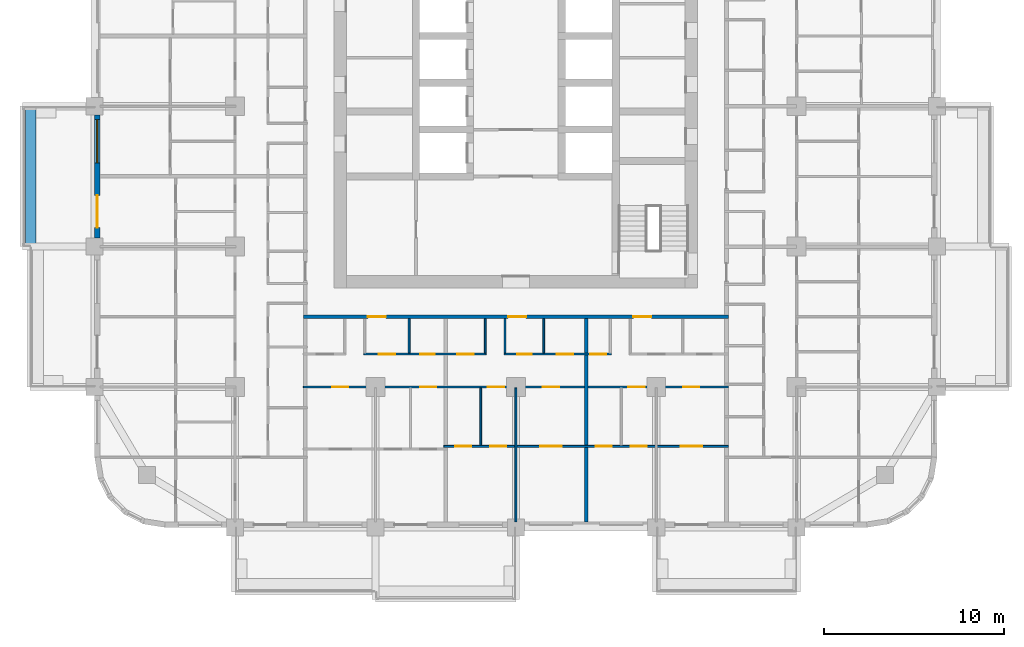
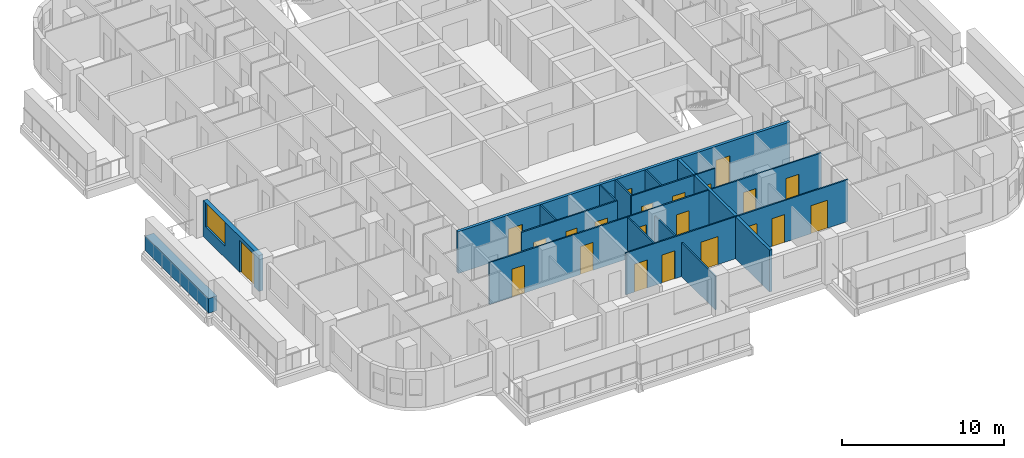
# One storey, part 4 of 18: 22 doors, 14 walls, 1 window, 23 openings.
"""IFC4 building model written with IfcOpenShell, lengths in metres."""

from ifc_helpers import new_model, si_unit, direction, frame, frame_2d, origin, place, context, subcontext, project, spatial, rectangle, extrude, material, layer, layer_set, type_object, element, fill, save


model = new_model("IFC4")

# Units and contexts
model_context = context("Model", 3, precision=1e-05, world=origin(), true_north=direction((0.0, 1.0)))
body_context = subcontext(model_context, "Body", "Model", "MODEL_VIEW")
ifc_project = project(units=[si_unit("LENGTHUNIT", "METRE"), si_unit("AREAUNIT", "SQUARE_METRE"), si_unit("VOLUMEUNIT", "CUBIC_METRE"), si_unit("PLANEANGLEUNIT", "RADIAN"), si_unit("MASSUNIT", "GRAM", prefix="KILO")], contexts=[model_context])

# Site, building, storey
site_placement = place(None, origin())
site = spatial("IfcSite", under=ifc_project, at=site_placement, CompositionType="ELEMENT")
building_placement = place(site_placement, origin())
building = spatial("IfcBuilding", under=site, at=building_placement, Name="Ludao Terraces", CompositionType="ELEMENT")
storey_placement = place(building_placement, frame((0.0, 0.0, 61.39990234375)))
storey = spatial("IfcBuildingStorey", under=building, at=storey_placement, Name="L16", CompositionType="ELEMENT", Elevation=61.39990234375)

# Wall
ifc_material_1 = material(Name="Concrete C40", Category="concrete")
ifc_layer_1 = layer(ifc_material_1, 0.60009765625)
ifc_layer_set_1 = layer_set([ifc_layer_1], Name="ENV Planter trough 600")
wall_type_1 = type_object("IfcWallType", Name="ENV Planter trough 600", PredefinedType="USERDEFINED", material=ifc_layer_set_1)
wall_1_placement = place(storey_placement, frame((58.050048828125, 57.199951171875, 0.0), z_axis=(0.0, 0.0, 1.0), x_axis=(0.0, 1.0, 0.0)))
element("IfcWall", 1, at=wall_1_placement, inside=storey, type_object=wall_type_1, Name="PL-L16-W2", ObjectType="PLANTER", PredefinedType="USERDEFINED", context=body_context, shape_type="SweptSolid", body=[
    extrude(rectangle(XDim=7.800048828125, YDim=0.60009765625, at=frame_2d((3.89990234375, 0.0))), origin(), (0.0, 0.0, 1.0), 1.10009765625),
])

# Wall, openings, door, window
ifc_material_2 = material(Name="Granite cladding", Category="masonry")
ifc_layer_2 = layer(ifc_material_2, 0.0400390625, Category="stone")
ifc_material_3 = material(Name="Mineral wool")
ifc_layer_3 = layer(ifc_material_3, 0.06005859375)
ifc_layer_4 = layer(ifc_material_1, 0.199951171875, Category="concrete")
ifc_layer_set_2 = layer_set([ifc_layer_2, ifc_layer_3, ifc_layer_4], Name="ENV Stone-clad wall 300")
wall_type_2 = type_object("IfcWallType", Name="ENV Stone-clad wall 300", PredefinedType="SOLIDWALL", material=ifc_layer_set_2)
wall_2_placement = place(storey_placement, frame((61.75, 57.675048828125, 0.0), z_axis=(0.0, 0.0, 1.0), x_axis=(0.0, 1.0, 0.0)))
wall_2 = element("IfcWall", 2, at=wall_2_placement, inside=storey, type_object=wall_type_2, Name="EW-L16-W3", PredefinedType="SOLIDWALL", context=body_context, shape_type="SweptSolid", body=[
    extrude(rectangle(XDim=6.849853515625, YDim=0.300048828125, at=frame_2d((3.4248046875, 0.0))), origin(), (0.0, 0.0, 1.0), 2.7001953125),
])
opening_1_placement = place(wall_2_placement, frame((0.574951171875, 0.0, 0.0)))
opening_1 = element("IfcOpeningElement", 3, at=opening_1_placement, cuts=wall_2, Name="Opening BD", PredefinedType="OPENING", context=body_context, shape_type="SweptSolid", body=[
    extrude(rectangle(XDim=1.800048828125, YDim=2.39990234375, at=frame_2d((0.89990234375, 1.199951171875))), frame((0.0, 0.16015625, 0.0), z_axis=(0.0, -1.0, 0.0), x_axis=(1.0, 0.0, 0.0)), (0.0, 0.0, 1.0), 0.320068359375),
])
opening_2_placement = place(wall_2_placement, frame((4.175048828125, 0.0, 0.89990234375)))
opening_2 = element("IfcOpeningElement", 4, at=opening_2_placement, cuts=wall_2, Name="Opening W1", PredefinedType="OPENING", context=body_context, shape_type="SweptSolid", body=[
    extrude(rectangle(XDim=2.39990234375, YDim=1.800048828125, at=frame_2d((1.199951171875, 0.89990234375))), frame((0.0, 0.16015625, 0.0), z_axis=(0.0, -1.0, 0.0), x_axis=(1.0, 0.0, 0.0)), (0.0, 0.0, 1.0), 0.320068359375),
])
ifc_material_4 = material(Name="Aluminium glazed door", Category="aluminium")
ifc_layer_5 = layer(ifc_material_4, 0.06005859375)
ifc_layer_set_3 = layer_set([ifc_layer_5], Name="ENV Balcony door BD 1800x2400")
door_type_1 = type_object("IfcDoorType", Name="ENV Balcony door BD 1800x2400", OperationType="DOUBLE_DOOR_SINGLE_SWING", PredefinedType="DOOR", material=ifc_layer_set_3)
door_1_placement = place(opening_1_placement, origin())
door_1 = element("IfcDoor", 5, at=door_1_placement, inside=storey, type_object=door_type_1, Name="BD-L16-W3-1", OperationType="DOUBLE_DOOR_SINGLE_SWING", OverallHeight=2.39990234375, OverallWidth=1.800048828125, PredefinedType="DOOR", context=body_context, shape_type="SweptSolid", body=[
    extrude(rectangle(XDim=1.800048828125, YDim=2.39990234375, at=frame_2d((0.89990234375, 1.199951171875))), frame((0.0, 0.02490234375, 0.0), z_axis=(0.0, -1.0, 0.0), x_axis=(1.0, 0.0, 0.0)), (0.0, 0.0, 1.0), 0.050048828125),
])
fill(opening_1, door_1)
ifc_material_5 = material(Name="Clear glass in aluminium frame", Category="aluminium")
ifc_layer_6 = layer(ifc_material_5, 0.06005859375)
ifc_layer_set_4 = layer_set([ifc_layer_6], Name="ENV Window W1 2400x1800")
window_type = type_object("IfcWindowType", Name="ENV Window W1 2400x1800", PartitioningType="DOUBLE_PANEL_VERTICAL", PredefinedType="WINDOW", material=ifc_layer_set_4)
window_placement = place(opening_2_placement, origin())
window = element("IfcWindow", 6, at=window_placement, inside=storey, type_object=window_type, Name="W-L16-W3-2", OverallHeight=1.800048828125, OverallWidth=2.39990234375, PartitioningType="DOUBLE_PANEL_VERTICAL", PredefinedType="WINDOW", context=body_context, shape_type="SweptSolid", body=[
    extrude(rectangle(XDim=2.39990234375, YDim=1.800048828125, at=frame_2d((1.199951171875, 0.89990234375))), frame((0.0, 0.030029296875, 0.0), z_axis=(0.0, -1.0, 0.0), x_axis=(1.0, 0.0, 0.0)), (0.0, 0.0, 1.0), 0.06005859375),
])
fill(opening_2, window)

# Wall, openings, doors
ifc_material_6 = material(Name="Autoclaved aerated concrete block B06 A3.5", Category="concrete")
ifc_layer_7 = layer(ifc_material_6, 0.199951171875)
ifc_layer_set_5 = layer_set([ifc_layer_7], Name="INT Entrance wall 200")
wall_type_3 = type_object("IfcWallType", Name="INT Entrance wall 200", PredefinedType="PARTITIONING", material=ifc_layer_set_5)
wall_3_placement = place(storey_placement, frame((73.2001953125, 53.300048828125, 0.0), z_axis=(0.0, 0.0, 1.0), x_axis=(1.0, 0.0, 0.0)))
wall_3 = element("IfcWall", 7, at=wall_3_placement, inside=storey, type_object=wall_type_3, Name="PW-L16-PW019", PredefinedType="PARTITIONING", context=body_context, shape_type="SweptSolid", body=[
    extrude(rectangle(XDim=23.599853515625, YDim=0.199951171875, at=frame_2d((11.7998046875, 0.0))), origin(), (0.0, 0.0, 1.0), 3.150146484375),
])
opening_3_placement = place(wall_3_placement, frame((3.574951171875, 0.0, 0.0)))
opening_3 = element("IfcOpeningElement", 8, at=opening_3_placement, cuts=wall_3, Name="Opening R05-048", PredefinedType="OPENING", context=body_context, shape_type="SweptSolid", body=[
    extrude(rectangle(XDim=1.0, YDim=2.10009765625, at=frame_2d((0.5, 1.050048828125))), frame((0.0, 0.10986328125, 0.0), z_axis=(0.0, -1.0, 0.0), x_axis=(1.0, 0.0, 0.0)), (0.0, 0.0, 1.0), 0.219970703125),
])
opening_4_placement = place(wall_3_placement, frame((11.375, 0.0, 0.0)))
opening_4 = element("IfcOpeningElement", 9, at=opening_4_placement, cuts=wall_3, Name="Opening R05-049", PredefinedType="OPENING", context=body_context, shape_type="SweptSolid", body=[
    extrude(rectangle(XDim=1.0, YDim=2.10009765625, at=frame_2d((0.5, 1.050048828125))), frame((0.0, 0.10986328125, 0.0), z_axis=(0.0, -1.0, 0.0), x_axis=(1.0, 0.0, 0.0)), (0.0, 0.0, 1.0), 0.219970703125),
])
opening_5_placement = place(wall_3_placement, frame((18.324951171875, 0.0, 0.0)))
opening_5 = element("IfcOpeningElement", 10, at=opening_5_placement, cuts=wall_3, Name="Opening R05-050", PredefinedType="OPENING", context=body_context, shape_type="SweptSolid", body=[
    extrude(rectangle(XDim=1.0, YDim=2.10009765625, at=frame_2d((0.5, 1.050048828125))), frame((0.0, 0.10986328125, 0.0), z_axis=(0.0, -1.0, 0.0), x_axis=(1.0, 0.0, 0.0)), (0.0, 0.0, 1.0), 0.219970703125),
])
ifc_material_7 = material(Name="Steel Q235", Category="steel")
door_type_2 = type_object("IfcDoorType", Name="INT Flat entrance door 1000", OperationType="SINGLE_SWING_LEFT", PredefinedType="DOOR", material=ifc_material_7)
door_2_placement = place(opening_3_placement, origin())
door_2 = element("IfcDoor", 11, at=door_2_placement, inside=storey, type_object=door_type_2, Name="DOOR 048", OperationType="SINGLE_SWING_LEFT", OverallHeight=2.10009765625, OverallWidth=1.0, PredefinedType="DOOR", context=body_context, shape_type="SweptSolid", body=[
    extrude(rectangle(XDim=1.0, YDim=2.10009765625, at=frame_2d((0.5, 1.050048828125))), frame((0.0, 0.02490234375, 0.0), z_axis=(0.0, -1.0, 0.0), x_axis=(1.0, 0.0, 0.0)), (0.0, 0.0, 1.0), 0.050048828125),
])
fill(opening_3, door_2)
door_3_placement = place(opening_4_placement, origin())
door_3 = element("IfcDoor", 12, at=door_3_placement, inside=storey, type_object=door_type_2, Name="DOOR 049", OperationType="SINGLE_SWING_LEFT", OverallHeight=2.10009765625, OverallWidth=1.0, PredefinedType="DOOR", context=body_context, shape_type="SweptSolid", body=[
    extrude(rectangle(XDim=1.0, YDim=2.10009765625, at=frame_2d((0.5, 1.050048828125))), frame((0.0, 0.02490234375, 0.0), z_axis=(0.0, -1.0, 0.0), x_axis=(1.0, 0.0, 0.0)), (0.0, 0.0, 1.0), 0.050048828125),
])
fill(opening_4, door_3)
door_4_placement = place(opening_5_placement, origin())
door_4 = element("IfcDoor", 13, at=door_4_placement, inside=storey, type_object=door_type_2, Name="DOOR 050", OperationType="SINGLE_SWING_LEFT", OverallHeight=2.10009765625, OverallWidth=1.0, PredefinedType="DOOR", context=body_context, shape_type="SweptSolid", body=[
    extrude(rectangle(XDim=1.0, YDim=2.10009765625, at=frame_2d((0.5, 1.050048828125))), frame((0.0, 0.02490234375, 0.0), z_axis=(0.0, -1.0, 0.0), x_axis=(1.0, 0.0, 0.0)), (0.0, 0.0, 1.0), 0.050048828125),
])
fill(opening_5, door_4)

ifc_material_8 = material(Name="Gypsum plasterboard", Category="gypsum")
ifc_layer_8 = layer(ifc_material_8, 0.012451171875, Category="gypsum")
ifc_layer_9 = layer(ifc_material_3, 0.06005859375, Name="insulation")
ifc_layer_10 = layer(ifc_material_7, 0.014892578125, Name="stud")
ifc_layer_11 = layer(ifc_material_8, 0.012451171875, Category="gypsum")
ifc_layer_set_6 = layer_set([ifc_layer_8, ifc_layer_9, ifc_layer_10, ifc_layer_11], Name="INT Partition 100")
wall_type_4 = type_object("IfcWallType", Name="INT Partition 100", PredefinedType="PARTITIONING", material=ifc_layer_set_6)
wall_4_placement = place(storey_placement, frame((81.0, 46.10009765625, 0.0), z_axis=(0.0, 0.0, 1.0), x_axis=(1.0, 0.0, 0.0)))
wall_4 = element("IfcWall", 14, at=wall_4_placement, inside=storey, type_object=wall_type_4, Name="PW-L16-PW003", PredefinedType="PARTITIONING", context=body_context, shape_type="SweptSolid", body=[
    extrude(rectangle(XDim=15.800048828125, YDim=0.10009765625, at=frame_2d((7.89990234375, 0.0))), origin(), (0.0, 0.0, 1.0), 3.150146484375),
])
opening_6_placement = place(wall_4_placement, frame((0.625, 0.0, 0.0)))
opening_6 = element("IfcOpeningElement", 15, at=opening_6_placement, cuts=wall_4, Name="Opening R05-010", PredefinedType="OPENING", context=body_context, shape_type="SweptSolid", body=[
    extrude(rectangle(XDim=0.89990234375, YDim=2.10009765625, at=frame_2d((0.449951171875, 1.050048828125))), frame((0.0, 0.06005859375, 0.0), z_axis=(0.0, -1.0, 0.0), x_axis=(1.0, 0.0, 0.0)), (0.0, 0.0, 1.0), 0.1201171875),
])
opening_7_placement = place(wall_4_placement, frame((2.5751953125, 0.0, 0.0)))
opening_7 = element("IfcOpeningElement", 16, at=opening_7_placement, cuts=wall_4, Name="Opening R05-011", PredefinedType="OPENING", context=body_context, shape_type="SweptSolid", body=[
    extrude(rectangle(XDim=0.89990234375, YDim=2.10009765625, at=frame_2d((0.449951171875, 1.050048828125))), frame((0.0, 0.06005859375, 0.0), z_axis=(0.0, -1.0, 0.0), x_axis=(1.0, 0.0, 0.0)), (0.0, 0.0, 1.0), 0.1201171875),
])
opening_8_placement = place(wall_4_placement, frame((5.35009765625, 0.0, 0.0)))
opening_8 = element("IfcOpeningElement", 17, at=opening_8_placement, cuts=wall_4, Name="Opening R05-012", PredefinedType="OPENING", context=body_context, shape_type="SweptSolid", body=[
    extrude(rectangle(XDim=1.199951171875, YDim=2.10009765625, at=frame_2d((0.60009765625, 1.050048828125))), frame((0.0, 0.06005859375, 0.0), z_axis=(0.0, -1.0, 0.0), x_axis=(1.0, 0.0, 0.0)), (0.0, 0.0, 1.0), 0.1201171875),
])
opening_9_placement = place(wall_4_placement, frame((8.425048828125, 0.0, 0.0)))
opening_9 = element("IfcOpeningElement", 18, at=opening_9_placement, cuts=wall_4, Name="Opening R05-013", PredefinedType="OPENING", context=body_context, shape_type="SweptSolid", body=[
    extrude(rectangle(XDim=0.89990234375, YDim=2.10009765625, at=frame_2d((0.449951171875, 1.050048828125))), frame((0.0, 0.06005859375, 0.0), z_axis=(0.0, -1.0, 0.0), x_axis=(1.0, 0.0, 0.0)), (0.0, 0.0, 1.0), 0.1201171875),
])
opening_10_placement = place(wall_4_placement, frame((10.375, 0.0, 0.0)))
opening_10 = element("IfcOpeningElement", 19, at=opening_10_placement, cuts=wall_4, Name="Opening R05-014", PredefinedType="OPENING", context=body_context, shape_type="SweptSolid", body=[
    extrude(rectangle(XDim=0.89990234375, YDim=2.10009765625, at=frame_2d((0.449951171875, 1.050048828125))), frame((0.0, 0.06005859375, 0.0), z_axis=(0.0, -1.0, 0.0), x_axis=(1.0, 0.0, 0.0)), (0.0, 0.0, 1.0), 0.1201171875),
])
opening_11_placement = place(wall_4_placement, frame((13.150146484375, 0.0, 0.0)))
opening_11 = element("IfcOpeningElement", 20, at=opening_11_placement, cuts=wall_4, Name="Opening R05-015", PredefinedType="OPENING", context=body_context, shape_type="SweptSolid", body=[
    extrude(rectangle(XDim=1.199951171875, YDim=2.10009765625, at=frame_2d((0.60009765625, 1.050048828125))), frame((0.0, 0.06005859375, 0.0), z_axis=(0.0, -1.0, 0.0), x_axis=(1.0, 0.0, 0.0)), (0.0, 0.0, 1.0), 0.1201171875),
])
ifc_material_9 = material(Name="Timber door leaf", Category="wood")
door_type_3 = type_object("IfcDoorType", Name="INT Bathroom door 900", OperationType="SINGLE_SWING_LEFT", PredefinedType="DOOR", material=ifc_material_9)
door_5_placement = place(opening_6_placement, origin())
door_5 = element("IfcDoor", 21, at=door_5_placement, inside=storey, type_object=door_type_3, Name="DOOR 010", OperationType="SINGLE_SWING_LEFT", OverallHeight=2.10009765625, OverallWidth=0.89990234375, PredefinedType="DOOR", context=body_context, shape_type="SweptSolid", body=[
    extrude(rectangle(XDim=0.89990234375, YDim=2.10009765625, at=frame_2d((0.449951171875, 1.050048828125))), frame((0.0, 0.02490234375, 0.0), z_axis=(0.0, -1.0, 0.0), x_axis=(1.0, 0.0, 0.0)), (0.0, 0.0, 1.0), 0.050048828125),
])
fill(opening_6, door_5)
door_6_placement = place(opening_9_placement, origin())
door_6 = element("IfcDoor", 22, at=door_6_placement, inside=storey, type_object=door_type_3, Name="DOOR 013", OperationType="SINGLE_SWING_LEFT", OverallHeight=2.10009765625, OverallWidth=0.89990234375, PredefinedType="DOOR", context=body_context, shape_type="SweptSolid", body=[
    extrude(rectangle(XDim=0.89990234375, YDim=2.10009765625, at=frame_2d((0.449951171875, 1.050048828125))), frame((0.0, 0.02490234375, 0.0), z_axis=(0.0, -1.0, 0.0), x_axis=(1.0, 0.0, 0.0)), (0.0, 0.0, 1.0), 0.050048828125),
])
fill(opening_9, door_6)
door_type_4 = type_object("IfcDoorType", Name="INT Double door 1200", OperationType="DOUBLE_DOOR_SINGLE_SWING", PredefinedType="DOOR", material=ifc_material_9)
door_7_placement = place(opening_8_placement, origin())
door_7 = element("IfcDoor", 23, at=door_7_placement, inside=storey, type_object=door_type_4, Name="DOOR 012", OperationType="DOUBLE_DOOR_SINGLE_SWING", OverallHeight=2.10009765625, OverallWidth=1.199951171875, PredefinedType="DOOR", context=body_context, shape_type="SweptSolid", body=[
    extrude(rectangle(XDim=1.199951171875, YDim=2.10009765625, at=frame_2d((0.60009765625, 1.050048828125))), frame((0.0, 0.02490234375, 0.0), z_axis=(0.0, -1.0, 0.0), x_axis=(1.0, 0.0, 0.0)), (0.0, 0.0, 1.0), 0.050048828125),
])
fill(opening_8, door_7)
door_8_placement = place(opening_11_placement, origin())
door_8 = element("IfcDoor", 24, at=door_8_placement, inside=storey, type_object=door_type_4, Name="DOOR 015", OperationType="DOUBLE_DOOR_SINGLE_SWING", OverallHeight=2.10009765625, OverallWidth=1.199951171875, PredefinedType="DOOR", context=body_context, shape_type="SweptSolid", body=[
    extrude(rectangle(XDim=1.199951171875, YDim=2.10009765625, at=frame_2d((0.60009765625, 1.050048828125))), frame((0.0, 0.02490234375, 0.0), z_axis=(0.0, -1.0, 0.0), x_axis=(1.0, 0.0, 0.0)), (0.0, 0.0, 1.0), 0.050048828125),
])
fill(opening_11, door_8)
door_type_5 = type_object("IfcDoorType", Name="INT Room door 900", OperationType="SINGLE_SWING_LEFT", PredefinedType="DOOR", material=ifc_material_9)
door_9_placement = place(opening_7_placement, origin())
door_9 = element("IfcDoor", 25, at=door_9_placement, inside=storey, type_object=door_type_5, Name="DOOR 011", OperationType="SINGLE_SWING_LEFT", OverallHeight=2.10009765625, OverallWidth=0.89990234375, PredefinedType="DOOR", context=body_context, shape_type="SweptSolid", body=[
    extrude(rectangle(XDim=0.89990234375, YDim=2.10009765625, at=frame_2d((0.449951171875, 1.050048828125))), frame((0.0, 0.02490234375, 0.0), z_axis=(0.0, -1.0, 0.0), x_axis=(1.0, 0.0, 0.0)), (0.0, 0.0, 1.0), 0.050048828125),
])
fill(opening_7, door_9)
door_10_placement = place(opening_10_placement, origin())
door_10 = element("IfcDoor", 26, at=door_10_placement, inside=storey, type_object=door_type_5, Name="DOOR 014", OperationType="SINGLE_SWING_RIGHT", OverallHeight=2.10009765625, OverallWidth=0.89990234375, PredefinedType="DOOR", context=body_context, shape_type="SweptSolid", body=[
    extrude(rectangle(XDim=0.89990234375, YDim=2.10009765625, at=frame_2d((0.449951171875, 1.050048828125))), frame((0.0, 0.02490234375, 0.0), z_axis=(0.0, -1.0, 0.0), x_axis=(1.0, 0.0, 0.0)), (0.0, 0.0, 1.0), 0.050048828125),
])
fill(opening_10, door_10)

wall_5_placement = place(storey_placement, frame((73.2001953125, 49.39990234375, 0.0), z_axis=(0.0, 0.0, 1.0), x_axis=(1.0, 0.0, 0.0)))
wall_5 = element("IfcWall", 27, at=wall_5_placement, inside=storey, type_object=wall_type_4, Name="PW-L16-PW008", PredefinedType="PARTITIONING", context=body_context, shape_type="SweptSolid", body=[
    extrude(rectangle(XDim=23.599853515625, YDim=0.10009765625, at=frame_2d((11.7998046875, 0.0))), origin(), (0.0, 0.0, 1.0), 3.150146484375),
])
opening_12_placement = place(wall_5_placement, frame((1.599853515625, 0.0, 0.0)))
opening_12 = element("IfcOpeningElement", 28, at=opening_12_placement, cuts=wall_5, Name="Opening R05-024", PredefinedType="OPENING", context=body_context, shape_type="SweptSolid", body=[
    extrude(rectangle(XDim=0.89990234375, YDim=2.10009765625, at=frame_2d((0.449951171875, 1.050048828125))), frame((0.0, 0.06005859375, 0.0), z_axis=(0.0, -1.0, 0.0), x_axis=(1.0, 0.0, 0.0)), (0.0, 0.0, 1.0), 0.1201171875),
])
opening_13_placement = place(wall_5_placement, frame((6.474853515625, 0.0, 0.0)))
opening_13 = element("IfcOpeningElement", 29, at=opening_13_placement, cuts=wall_5, Name="Opening R05-025", PredefinedType="OPENING", context=body_context, shape_type="SweptSolid", body=[
    extrude(rectangle(XDim=0.89990234375, YDim=2.10009765625, at=frame_2d((0.449951171875, 1.050048828125))), frame((0.0, 0.06005859375, 0.0), z_axis=(0.0, -1.0, 0.0), x_axis=(1.0, 0.0, 0.0)), (0.0, 0.0, 1.0), 0.1201171875),
])
opening_14_placement = place(wall_5_placement, frame((10.25, 0.0, 0.0)))
opening_14 = element("IfcOpeningElement", 30, at=opening_14_placement, cuts=wall_5, Name="Opening R05-026", PredefinedType="OPENING", context=body_context, shape_type="SweptSolid", body=[
    extrude(rectangle(XDim=0.89990234375, YDim=2.10009765625, at=frame_2d((0.449951171875, 1.050048828125))), frame((0.0, 0.06005859375, 0.0), z_axis=(0.0, -1.0, 0.0), x_axis=(1.0, 0.0, 0.0)), (0.0, 0.0, 1.0), 0.1201171875),
])
opening_15_placement = place(wall_5_placement, frame((13.2998046875, 0.0, 0.0)))
opening_15 = element("IfcOpeningElement", 31, at=opening_15_placement, cuts=wall_5, Name="Opening R05-027", PredefinedType="OPENING", context=body_context, shape_type="SweptSolid", body=[
    extrude(rectangle(XDim=0.89990234375, YDim=2.10009765625, at=frame_2d((0.449951171875, 1.050048828125))), frame((0.0, 0.06005859375, 0.0), z_axis=(0.0, -1.0, 0.0), x_axis=(1.0, 0.0, 0.0)), (0.0, 0.0, 1.0), 0.1201171875),
])
opening_16_placement = place(wall_5_placement, frame((18.0498046875, 0.0, 0.0)))
opening_16 = element("IfcOpeningElement", 32, at=opening_16_placement, cuts=wall_5, Name="Opening R05-028", PredefinedType="OPENING", context=body_context, shape_type="SweptSolid", body=[
    extrude(rectangle(XDim=0.89990234375, YDim=2.10009765625, at=frame_2d((0.449951171875, 1.050048828125))), frame((0.0, 0.06005859375, 0.0), z_axis=(0.0, -1.0, 0.0), x_axis=(1.0, 0.0, 0.0)), (0.0, 0.0, 1.0), 0.1201171875),
])
opening_17_placement = place(wall_5_placement, frame((21.099853515625, 0.0, 0.0)))
opening_17 = element("IfcOpeningElement", 33, at=opening_17_placement, cuts=wall_5, Name="Opening R05-029", PredefinedType="OPENING", context=body_context, shape_type="SweptSolid", body=[
    extrude(rectangle(XDim=0.89990234375, YDim=2.10009765625, at=frame_2d((0.449951171875, 1.050048828125))), frame((0.0, 0.06005859375, 0.0), z_axis=(0.0, -1.0, 0.0), x_axis=(1.0, 0.0, 0.0)), (0.0, 0.0, 1.0), 0.1201171875),
])
door_11_placement = place(opening_12_placement, origin())
door_11 = element("IfcDoor", 34, at=door_11_placement, inside=storey, type_object=door_type_5, Name="DOOR 024", OperationType="SINGLE_SWING_LEFT", OverallHeight=2.10009765625, OverallWidth=0.89990234375, PredefinedType="DOOR", context=body_context, shape_type="SweptSolid", body=[
    extrude(rectangle(XDim=0.89990234375, YDim=2.10009765625, at=frame_2d((0.449951171875, 1.050048828125))), frame((0.0, 0.02490234375, 0.0), z_axis=(0.0, -1.0, 0.0), x_axis=(1.0, 0.0, 0.0)), (0.0, 0.0, 1.0), 0.050048828125),
])
fill(opening_12, door_11)
door_12_placement = place(opening_13_placement, origin())
door_12 = element("IfcDoor", 35, at=door_12_placement, inside=storey, type_object=door_type_5, Name="DOOR 025", OperationType="SINGLE_SWING_RIGHT", OverallHeight=2.10009765625, OverallWidth=0.89990234375, PredefinedType="DOOR", context=body_context, shape_type="SweptSolid", body=[
    extrude(rectangle(XDim=0.89990234375, YDim=2.10009765625, at=frame_2d((0.449951171875, 1.050048828125))), frame((0.0, 0.02490234375, 0.0), z_axis=(0.0, -1.0, 0.0), x_axis=(1.0, 0.0, 0.0)), (0.0, 0.0, 1.0), 0.050048828125),
])
fill(opening_13, door_12)
door_13_placement = place(opening_14_placement, origin())
door_13 = element("IfcDoor", 36, at=door_13_placement, inside=storey, type_object=door_type_5, Name="DOOR 026", OperationType="SINGLE_SWING_RIGHT", OverallHeight=2.10009765625, OverallWidth=0.89990234375, PredefinedType="DOOR", context=body_context, shape_type="SweptSolid", body=[
    extrude(rectangle(XDim=0.89990234375, YDim=2.10009765625, at=frame_2d((0.449951171875, 1.050048828125))), frame((0.0, 0.02490234375, 0.0), z_axis=(0.0, -1.0, 0.0), x_axis=(1.0, 0.0, 0.0)), (0.0, 0.0, 1.0), 0.050048828125),
])
fill(opening_14, door_13)
door_14_placement = place(opening_15_placement, origin())
door_14 = element("IfcDoor", 37, at=door_14_placement, inside=storey, type_object=door_type_5, Name="DOOR 027", OperationType="SINGLE_SWING_LEFT", OverallHeight=2.10009765625, OverallWidth=0.89990234375, PredefinedType="DOOR", context=body_context, shape_type="SweptSolid", body=[
    extrude(rectangle(XDim=0.89990234375, YDim=2.10009765625, at=frame_2d((0.449951171875, 1.050048828125))), frame((0.0, 0.02490234375, 0.0), z_axis=(0.0, -1.0, 0.0), x_axis=(1.0, 0.0, 0.0)), (0.0, 0.0, 1.0), 0.050048828125),
])
fill(opening_15, door_14)
door_15_placement = place(opening_16_placement, origin())
door_15 = element("IfcDoor", 38, at=door_15_placement, inside=storey, type_object=door_type_5, Name="DOOR 028", OperationType="SINGLE_SWING_RIGHT", OverallHeight=2.10009765625, OverallWidth=0.89990234375, PredefinedType="DOOR", context=body_context, shape_type="SweptSolid", body=[
    extrude(rectangle(XDim=0.89990234375, YDim=2.10009765625, at=frame_2d((0.449951171875, 1.050048828125))), frame((0.0, 0.02490234375, 0.0), z_axis=(0.0, -1.0, 0.0), x_axis=(1.0, 0.0, 0.0)), (0.0, 0.0, 1.0), 0.050048828125),
])
fill(opening_16, door_15)
door_16_placement = place(opening_17_placement, origin())
door_16 = element("IfcDoor", 39, at=door_16_placement, inside=storey, type_object=door_type_5, Name="DOOR 029", OperationType="SINGLE_SWING_RIGHT", OverallHeight=2.10009765625, OverallWidth=0.89990234375, PredefinedType="DOOR", context=body_context, shape_type="SweptSolid", body=[
    extrude(rectangle(XDim=0.89990234375, YDim=2.10009765625, at=frame_2d((0.449951171875, 1.050048828125))), frame((0.0, 0.02490234375, 0.0), z_axis=(0.0, -1.0, 0.0), x_axis=(1.0, 0.0, 0.0)), (0.0, 0.0, 1.0), 0.050048828125),
])
fill(opening_17, door_16)

wall_6_placement = place(storey_placement, frame((76.550048828125, 51.22998046875, 0.0), z_axis=(0.0, 0.0, 1.0), x_axis=(1.0, 0.0, 0.0)))
wall_6 = element("IfcWall", 40, at=wall_6_placement, inside=storey, type_object=wall_type_4, Name="PW-L16-PW012", PredefinedType="PARTITIONING", context=body_context, shape_type="SweptSolid", body=[
    extrude(rectangle(XDim=6.800048828125, YDim=0.10009765625, at=frame_2d((3.39990234375, 0.0))), origin(), (0.0, 0.0, 1.0), 3.150146484375),
])
opening_18_placement = place(wall_6_placement, frame((0.8349609375, 0.0, 0.0)))
opening_18 = element("IfcOpeningElement", 41, at=opening_18_placement, cuts=wall_6, Name="Opening R05-034", PredefinedType="OPENING", context=body_context, shape_type="SweptSolid", body=[
    extrude(rectangle(XDim=0.89990234375, YDim=2.10009765625, at=frame_2d((0.449951171875, 1.050048828125))), frame((0.0, 0.06005859375, 0.0), z_axis=(0.0, -1.0, 0.0), x_axis=(1.0, 0.0, 0.0)), (0.0, 0.0, 1.0), 0.1201171875),
])
opening_19_placement = place(wall_6_placement, frame((3.135009765625, 0.0, 0.0)))
opening_19 = element("IfcOpeningElement", 42, at=opening_19_placement, cuts=wall_6, Name="Opening R05-035", PredefinedType="OPENING", context=body_context, shape_type="SweptSolid", body=[
    extrude(rectangle(XDim=0.800048828125, YDim=2.10009765625, at=frame_2d((0.39990234375, 1.050048828125))), frame((0.0, 0.06005859375, 0.0), z_axis=(0.0, -1.0, 0.0), x_axis=(1.0, 0.0, 0.0)), (0.0, 0.0, 1.0), 0.1201171875),
])
opening_20_placement = place(wall_6_placement, frame((5.199951171875, 0.0, 0.0)))
opening_20 = element("IfcOpeningElement", 43, at=opening_20_placement, cuts=wall_6, Name="Opening R05-036", PredefinedType="OPENING", context=body_context, shape_type="SweptSolid", body=[
    extrude(rectangle(XDim=0.89990234375, YDim=2.10009765625, at=frame_2d((0.449951171875, 1.050048828125))), frame((0.0, 0.06005859375, 0.0), z_axis=(0.0, -1.0, 0.0), x_axis=(1.0, 0.0, 0.0)), (0.0, 0.0, 1.0), 0.1201171875),
])
door_17_placement = place(opening_18_placement, origin())
door_17 = element("IfcDoor", 44, at=door_17_placement, inside=storey, type_object=door_type_5, Name="DOOR 034", OperationType="SINGLE_SWING_LEFT", OverallHeight=2.10009765625, OverallWidth=0.89990234375, PredefinedType="DOOR", context=body_context, shape_type="SweptSolid", body=[
    extrude(rectangle(XDim=0.89990234375, YDim=2.10009765625, at=frame_2d((0.449951171875, 1.050048828125))), frame((0.0, 0.02490234375, 0.0), z_axis=(0.0, -1.0, 0.0), x_axis=(1.0, 0.0, 0.0)), (0.0, 0.0, 1.0), 0.050048828125),
])
fill(opening_18, door_17)
door_18_placement = place(opening_20_placement, origin())
door_18 = element("IfcDoor", 45, at=door_18_placement, inside=storey, type_object=door_type_5, Name="DOOR 036", OperationType="SINGLE_SWING_LEFT", OverallHeight=2.10009765625, OverallWidth=0.89990234375, PredefinedType="DOOR", context=body_context, shape_type="SweptSolid", body=[
    extrude(rectangle(XDim=0.89990234375, YDim=2.10009765625, at=frame_2d((0.449951171875, 1.050048828125))), frame((0.0, 0.02490234375, 0.0), z_axis=(0.0, -1.0, 0.0), x_axis=(1.0, 0.0, 0.0)), (0.0, 0.0, 1.0), 0.050048828125),
])
fill(opening_20, door_18)
door_type_6 = type_object("IfcDoorType", Name="INT Store door 800", OperationType="SINGLE_SWING_LEFT", PredefinedType="DOOR", material=ifc_material_9)
door_19_placement = place(opening_19_placement, origin())
door_19 = element("IfcDoor", 46, at=door_19_placement, inside=storey, type_object=door_type_6, Name="DOOR 035", OperationType="SINGLE_SWING_RIGHT", OverallHeight=2.10009765625, OverallWidth=0.800048828125, PredefinedType="DOOR", context=body_context, shape_type="SweptSolid", body=[
    extrude(rectangle(XDim=0.800048828125, YDim=2.10009765625, at=frame_2d((0.39990234375, 1.050048828125))), frame((0.0, 0.02490234375, 0.0), z_axis=(0.0, -1.0, 0.0), x_axis=(1.0, 0.0, 0.0)), (0.0, 0.0, 1.0), 0.050048828125),
])
fill(opening_19, door_19)

wall_7_placement = place(storey_placement, frame((84.35009765625, 51.22998046875, 0.0), z_axis=(0.0, 0.0, 1.0), x_axis=(1.0, 0.0, 0.0)))
wall_7 = element("IfcWall", 47, at=wall_7_placement, inside=storey, type_object=wall_type_4, Name="PW-L16-PW013", PredefinedType="PARTITIONING", context=body_context, shape_type="SweptSolid", body=[
    extrude(rectangle(XDim=5.949951171875, YDim=0.10009765625, at=frame_2d((2.97509765625, 0.0))), origin(), (0.0, 0.0, 1.0), 3.150146484375),
])
opening_21_placement = place(wall_7_placement, frame((0.72509765625, 0.0, 0.0)))
opening_21 = element("IfcOpeningElement", 48, at=opening_21_placement, cuts=wall_7, Name="Opening R05-037", PredefinedType="OPENING", context=body_context, shape_type="SweptSolid", body=[
    extrude(rectangle(XDim=0.800048828125, YDim=2.10009765625, at=frame_2d((0.39990234375, 1.050048828125))), frame((0.0, 0.06005859375, 0.0), z_axis=(0.0, -1.0, 0.0), x_axis=(1.0, 0.0, 0.0)), (0.0, 0.0, 1.0), 0.1201171875),
])
opening_22_placement = place(wall_7_placement, frame((2.925048828125, 0.0, 0.0)))
opening_22 = element("IfcOpeningElement", 49, at=opening_22_placement, cuts=wall_7, Name="Opening R05-038", PredefinedType="OPENING", context=body_context, shape_type="SweptSolid", body=[
    extrude(rectangle(XDim=0.89990234375, YDim=2.10009765625, at=frame_2d((0.449951171875, 1.050048828125))), frame((0.0, 0.06005859375, 0.0), z_axis=(0.0, -1.0, 0.0), x_axis=(1.0, 0.0, 0.0)), (0.0, 0.0, 1.0), 0.1201171875),
])
opening_23_placement = place(wall_7_placement, frame((4.77490234375, 0.0, 0.0)))
opening_23 = element("IfcOpeningElement", 50, at=opening_23_placement, cuts=wall_7, Name="Opening R05-039", PredefinedType="OPENING", context=body_context, shape_type="SweptSolid", body=[
    extrude(rectangle(XDim=0.89990234375, YDim=2.10009765625, at=frame_2d((0.449951171875, 1.050048828125))), frame((0.0, 0.06005859375, 0.0), z_axis=(0.0, -1.0, 0.0), x_axis=(1.0, 0.0, 0.0)), (0.0, 0.0, 1.0), 0.1201171875),
])
door_20_placement = place(opening_22_placement, origin())
door_20 = element("IfcDoor", 51, at=door_20_placement, inside=storey, type_object=door_type_3, Name="DOOR 038", OperationType="SINGLE_SWING_RIGHT", OverallHeight=2.10009765625, OverallWidth=0.89990234375, PredefinedType="DOOR", context=body_context, shape_type="SweptSolid", body=[
    extrude(rectangle(XDim=0.89990234375, YDim=2.10009765625, at=frame_2d((0.449951171875, 1.050048828125))), frame((0.0, 0.02490234375, 0.0), z_axis=(0.0, -1.0, 0.0), x_axis=(1.0, 0.0, 0.0)), (0.0, 0.0, 1.0), 0.050048828125),
])
fill(opening_22, door_20)
door_21_placement = place(opening_23_placement, origin())
door_21 = element("IfcDoor", 52, at=door_21_placement, inside=storey, type_object=door_type_3, Name="DOOR 039", OperationType="SINGLE_SWING_LEFT", OverallHeight=2.10009765625, OverallWidth=0.89990234375, PredefinedType="DOOR", context=body_context, shape_type="SweptSolid", body=[
    extrude(rectangle(XDim=0.89990234375, YDim=2.10009765625, at=frame_2d((0.449951171875, 1.050048828125))), frame((0.0, 0.02490234375, 0.0), z_axis=(0.0, -1.0, 0.0), x_axis=(1.0, 0.0, 0.0)), (0.0, 0.0, 1.0), 0.050048828125),
])
fill(opening_23, door_21)
door_22_placement = place(opening_21_placement, origin())
door_22 = element("IfcDoor", 53, at=door_22_placement, inside=storey, type_object=door_type_6, Name="DOOR 037", OperationType="SINGLE_SWING_RIGHT", OverallHeight=2.10009765625, OverallWidth=0.800048828125, PredefinedType="DOOR", context=body_context, shape_type="SweptSolid", body=[
    extrude(rectangle(XDim=0.800048828125, YDim=2.10009765625, at=frame_2d((0.39990234375, 1.050048828125))), frame((0.0, 0.02490234375, 0.0), z_axis=(0.0, -1.0, 0.0), x_axis=(1.0, 0.0, 0.0)), (0.0, 0.0, 1.0), 0.050048828125),
])
fill(opening_21, door_22)

# Walls
wall_8_placement = place(storey_placement, frame((79.070068359375, 51.280029296875, 0.0), z_axis=(0.0, 0.0, 1.0), x_axis=(0.0, 1.0, 0.0)))
element("IfcWall", 54, at=wall_8_placement, inside=storey, type_object=wall_type_4, Name="PW-L16-PW098", PredefinedType="PARTITIONING", context=body_context, shape_type="SweptSolid", body=[
    extrude(rectangle(XDim=1.920166015625, YDim=0.10009765625, at=frame_2d((0.9599609375, 0.0))), origin(), (0.0, 0.0, 1.0), 3.150146484375),
])
wall_9_placement = place(storey_placement, frame((83.050048828125, 46.150146484375, 0.0), z_axis=(0.0, 0.0, 1.0), x_axis=(0.0, 1.0, 0.0)))
element("IfcWall", 55, at=wall_9_placement, inside=storey, type_object=wall_type_4, Name="PW-L16-PW103", PredefinedType="PARTITIONING", context=body_context, shape_type="SweptSolid", body=[
    extrude(rectangle(XDim=3.199951171875, YDim=0.10009765625, at=frame_2d((1.60009765625, 0.0))), origin(), (0.0, 0.0, 1.0), 3.150146484375),
])
for number, where, z_axis, x_axis, name in (
    (56, (83.300048828125, 51.280029296875, 0.0), (0.0, 0.0, 1.0), (0.0, 1.0, 0.0), "PW-L16-PW104"),
    (57, (84.39990234375, 51.280029296875, 0.0), (0.0, 0.0, 1.0), (0.0, 1.0, 0.0), "PW-L16-PW105"),
):
    element("IfcWall", number, at=place(storey_placement, frame(where, z_axis=z_axis, x_axis=x_axis)), inside=storey, type_object=wall_type_4, Name=name, PredefinedType="PARTITIONING", context=body_context, shape_type="SweptSolid", body=[
        extrude(rectangle(XDim=1.920166015625, YDim=0.10009765625, at=frame_2d((0.9599609375, 0.0))), origin(), (0.0, 0.0, 1.0), 3.150146484375),
    ])
wall_10_placement = place(storey_placement, frame((85.0, 41.900146484375, 0.0), z_axis=(0.0, 0.0, 1.0), x_axis=(0.0, 1.0, 0.0)))
element("IfcWall", 58, at=wall_10_placement, inside=storey, type_object=wall_type_4, Name="PW-L16-PW106", PredefinedType="PARTITIONING", context=body_context, shape_type="SweptSolid", body=[
    extrude(rectangle(XDim=7.449951171875, YDim=0.10009765625, at=frame_2d((3.72509765625, 0.0))), origin(), (0.0, 0.0, 1.0), 2.550048828125),
])
wall_11_placement = place(storey_placement, frame((86.550048828125, 51.280029296875, 0.0), z_axis=(0.0, 0.0, 1.0), x_axis=(0.0, 1.0, 0.0)))
element("IfcWall", 59, at=wall_11_placement, inside=storey, type_object=wall_type_4, Name="PW-L16-PW108", PredefinedType="PARTITIONING", context=body_context, shape_type="SweptSolid", body=[
    extrude(rectangle(XDim=1.920166015625, YDim=0.10009765625, at=frame_2d((0.9599609375, 0.0))), origin(), (0.0, 0.0, 1.0), 3.150146484375),
])
ifc_layer_12 = layer(ifc_material_6, 0.199951171875)
ifc_layer_set_7 = layer_set([ifc_layer_12], Name="INT Party wall 200")
wall_type_5 = type_object("IfcWallType", Name="INT Party wall 200", PredefinedType="PARTITIONING", material=ifc_layer_set_7)
wall_12_placement = place(storey_placement, frame((88.89990234375, 41.900146484375, 0.0), z_axis=(0.0, 0.0, 1.0), x_axis=(0.0, 1.0, 0.0)))
element("IfcWall", 60, at=wall_12_placement, inside=storey, type_object=wall_type_5, Name="PW-L16-PW109", PredefinedType="PARTITIONING", context=body_context, shape_type="SweptSolid", body=[
    extrude(rectangle(XDim=11.300048828125, YDim=0.199951171875, at=frame_2d((5.64990234375, 0.0))), origin(), (0.0, 0.0, 1.0), 3.150146484375),
])

save(model, "model.ifc")
